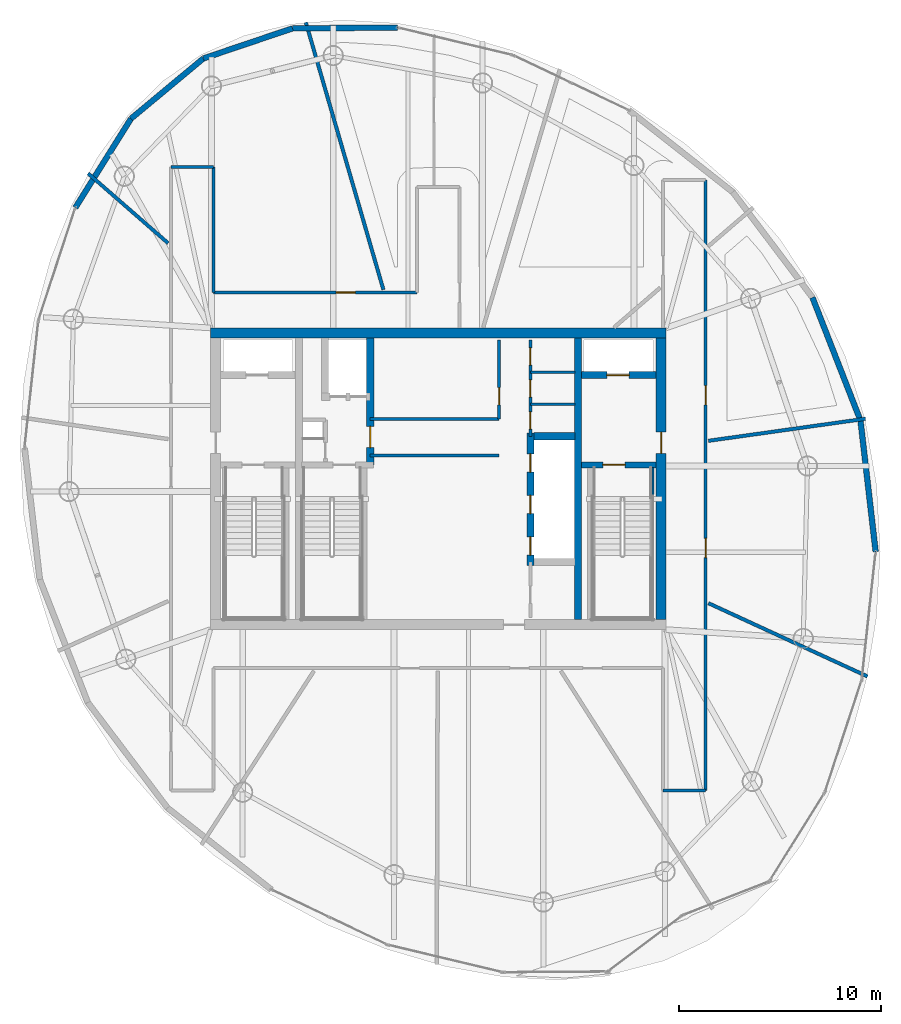
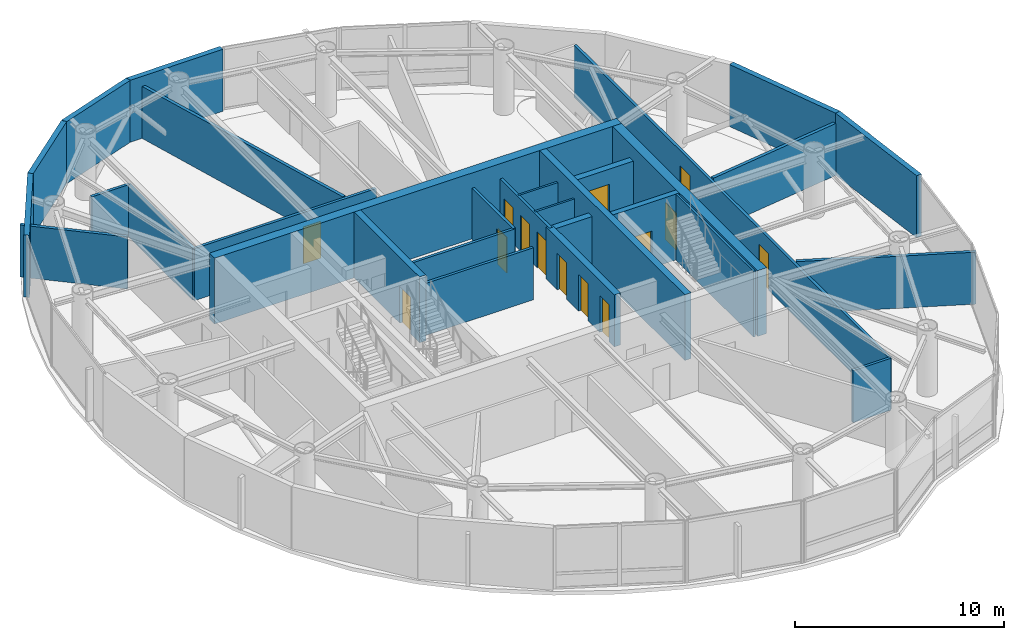
# One storey, part 16 of 20: 30 walls, 14 doors, 14 openings.
"""IFC4 building model written with IfcOpenShell, lengths in metres."""

from ifc_helpers import new_model, si_unit, direction, frame, frame_2d, origin, place, context, subcontext, project, spatial, rectangle, extrude, material, layer, layer_set, type_object, element, fill, save


model = new_model("IFC4")

# Units and contexts
model_context = context("Model", 3, precision=1e-05, world=origin(), true_north=direction((0.0, 1.0)))
body_context = subcontext(model_context, "Body", "Model", "MODEL_VIEW")
ifc_project = project(units=[si_unit("LENGTHUNIT", "METRE"), si_unit("AREAUNIT", "SQUARE_METRE"), si_unit("VOLUMEUNIT", "CUBIC_METRE"), si_unit("PLANEANGLEUNIT", "RADIAN"), si_unit("MASSUNIT", "GRAM", prefix="KILO")], contexts=[model_context])

# Site, building, storey
site_placement = place(None, origin())
site = spatial("IfcSite", under=ifc_project, at=site_placement, CompositionType="ELEMENT")
building_placement = place(site_placement, origin())
building = spatial("IfcBuilding", under=site, at=building_placement, Name="Bramvorn Convention Spire", CompositionType="ELEMENT")
storey_placement = place(building_placement, frame((0.0, 0.0, 276.699951171875)))
storey = spatial("IfcBuildingStorey", under=building, at=storey_placement, Name="L70", CompositionType="ELEMENT", Elevation=276.699951171875)

# Wall
ifc_material_1 = material(Name="Concrete C50/60", Category="concrete")
ifc_layer_1 = layer(ifc_material_1, 0.5)
ifc_layer_set_1 = layer_set([ifc_layer_1], Name="Concrete C50/60 - WL-CORE-500")
wall_type_1 = type_object("IfcWallType", Name="WL-CORE-500", PredefinedType="SHEAR", material=ifc_layer_set_1)
wall_1_placement = place(storey_placement, frame((26.75, 33.199951171875, 0.0), z_axis=(0.0, 0.0, 1.0), x_axis=(1.0, 0.0, 0.0)))
element("IfcWall", 1, at=wall_1_placement, inside=storey, type_object=wall_type_1, Name="L70 North RC core shear wall", PredefinedType="SHEAR", context=body_context, shape_type="SweptSolid", body=[
    extrude(rectangle(XDim=22.5, YDim=0.5, at=frame_2d((11.25, 0.0))), origin(), (0.0, 0.0, 1.0), 3.85009765625),
])

# Wall, opening, door
wall_2_placement = place(storey_placement, frame((49.0, 19.050048828125, 0.0), z_axis=(0.0, 0.0, 1.0), x_axis=(0.0, 1.0, 0.0)))
wall_2 = element("IfcWall", 2, at=wall_2_placement, inside=storey, type_object=wall_type_1, Name="L70 East RC core shear wall", PredefinedType="SHEAR", context=body_context, shape_type="SweptSolid", body=[
    extrude(rectangle(XDim=13.89990234375, YDim=0.5, at=frame_2d((6.949951171875, 0.0))), origin(), (0.0, 0.0, 1.0), 3.85009765625),
])
opening_1_placement = place(wall_2_placement, frame((8.199951171875, 0.0, 0.0)))
opening_1 = element("IfcOpeningElement", 3, at=opening_1_placement, cuts=wall_2, Name="Opening DL-105", PredefinedType="OPENING", context=body_context, shape_type="SweptSolid", body=[
    extrude(rectangle(XDim=1.050048828125, YDim=2.14990234375, at=frame_2d((0.52490234375, 1.074951171875))), frame((0.0, 0.260009765625, 0.0), z_axis=(0.0, -1.0, 0.0), x_axis=(1.0, 0.0, 0.0)), (0.0, 0.0, 1.0), 0.52001953125),
])
ifc_material_2 = material(Name="Smoke-Sealed Fire Lobby Timber-Core Door", Category="wood")
door_type_1 = type_object("IfcDoorType", Name="DR-LOBBY-1050", OperationType="NOTDEFINED", PredefinedType="DOOR", material=ifc_material_2)
door_1_placement = place(opening_1_placement, origin())
door_1 = element("IfcDoor", 4, at=door_1_placement, inside=storey, type_object=door_type_1, Name="L70 East Firefighting Lobby corridor door", OperationType="SINGLE_SWING_LEFT", OverallHeight=2.14990234375, OverallWidth=1.050048828125, PredefinedType="DOOR", context=body_context, shape_type="SweptSolid", body=[
    extrude(rectangle(XDim=1.050048828125, YDim=2.14990234375, at=frame_2d((0.52490234375, 1.074951171875))), frame((0.0, 0.02490234375, 0.0), z_axis=(0.0, -1.0, 0.0), x_axis=(1.0, 0.0, 0.0)), (0.0, 0.0, 1.0), 0.050048828125),
])
fill(opening_1, door_1)

# Wall
ifc_layer_2 = layer(ifc_material_1, 0.35009765625)
ifc_layer_set_2 = layer_set([ifc_layer_2], Name="Concrete C50/60 - WL-CORE-INT-350")
wall_type_2 = type_object("IfcWallType", Name="WL-CORE-INT-350", PredefinedType="SHEAR", material=ifc_layer_set_2)
wall_3_placement = place(storey_placement, frame((44.89990234375, 19.050048828125, 0.0), z_axis=(0.0, 0.0, 1.0), x_axis=(0.0, 1.0, 0.0)))
element("IfcWall", 5, at=wall_3_placement, inside=storey, type_object=wall_type_2, Name="L70 East internal core shear web", PredefinedType="SHEAR", context=body_context, shape_type="SweptSolid", body=[
    extrude(rectangle(XDim=13.89990234375, YDim=0.35009765625, at=frame_2d((6.949951171875, 0.0))), origin(), (0.0, 0.0, 1.0), 3.85009765625),
])

# Wall, opening, door
wall_4_placement = place(storey_placement, frame((45.080078125, 31.1201171875, 0.0), z_axis=(0.0, 0.0, 1.0), x_axis=(1.0, 0.0, 0.0)))
wall_4 = element("IfcWall", 6, at=wall_4_placement, inside=storey, type_object=wall_type_2, Name="L70 FE2 shaft front wall", PredefinedType="SHEAR", context=body_context, shape_type="SweptSolid", body=[
    extrude(rectangle(XDim=3.669921875, YDim=0.35009765625, at=frame_2d((1.8349609375, 0.0))), origin(), (0.0, 0.0, 1.0), 3.0400390625),
])
opening_2_placement = place(wall_4_placement, frame((1.25, 0.0, 0.0)))
opening_2 = element("IfcOpeningElement", 7, at=opening_2_placement, cuts=wall_4, Name="Opening LD-110", PredefinedType="OPENING", context=body_context, shape_type="SweptSolid", body=[
    extrude(rectangle(XDim=1.10009765625, YDim=2.14990234375, at=frame_2d((0.550048828125, 1.074951171875))), frame((0.0, 0.18505859375, 0.0), z_axis=(0.0, -1.0, 0.0), x_axis=(1.0, 0.0, 0.0)), (0.0, 0.0, 1.0), 0.3701171875),
])
ifc_material_3 = material(Name="Firefighting & Service Lift Sliding Landing Door", Category="steel")
door_type_2 = type_object("IfcDoorType", Name="DR-LIFT-LD-1100", OperationType="NOTDEFINED", PredefinedType="DOOR", material=ifc_material_3)
door_2_placement = place(opening_2_placement, origin())
door_2 = element("IfcDoor", 8, at=door_2_placement, inside=storey, type_object=door_type_2, Name="L70 Lift FE2 Sliding Landing Door", OperationType="SLIDING_TO_LEFT", OverallHeight=2.14990234375, OverallWidth=1.10009765625, PredefinedType="DOOR", context=body_context, shape_type="SweptSolid", body=[
    extrude(rectangle(XDim=1.10009765625, YDim=2.14990234375, at=frame_2d((0.550048828125, 1.074951171875))), frame((0.0, 0.02490234375, 0.0), z_axis=(0.0, -1.0, 0.0), x_axis=(1.0, 0.0, 0.0)), (0.0, 0.0, 1.0), 0.050048828125),
])
fill(opening_2, door_2)

wall_5_placement = place(storey_placement, frame((34.639892578125, 26.68994140625, 0.0), z_axis=(0.0, 0.0, 1.0), x_axis=(0.0, 1.0, 0.0)))
wall_5 = element("IfcWall", 9, at=wall_5_placement, inside=storey, type_object=wall_type_2, Name="L70 SV east core shaft wall", PredefinedType="SHEAR", context=body_context, shape_type="SweptSolid", body=[
    extrude(rectangle(XDim=6.260009765625, YDim=0.35009765625, at=frame_2d((3.1298828125, 0.0))), origin(), (0.0, 0.0, 1.0), 3.85009765625),
])
opening_3_placement = place(wall_5_placement, frame((0.85009765625, 0.0, 0.0)))
opening_3 = element("IfcOpeningElement", 10, at=opening_3_placement, cuts=wall_5, Name="Opening DL-105", PredefinedType="OPENING", context=body_context, shape_type="SweptSolid", body=[
    extrude(rectangle(XDim=1.050048828125, YDim=2.14990234375, at=frame_2d((0.52490234375, 1.074951171875))), frame((0.0, 0.18505859375, 0.0), z_axis=(0.0, -1.0, 0.0), x_axis=(1.0, 0.0, 0.0)), (0.0, 0.0, 1.0), 0.3701171875),
])
door_3_placement = place(opening_3_placement, origin())
door_3 = element("IfcDoor", 11, at=door_3_placement, inside=storey, type_object=door_type_1, Name="L70 Core cross-passage door", OperationType="SINGLE_SWING_RIGHT", OverallHeight=2.14990234375, OverallWidth=1.050048828125, PredefinedType="DOOR", context=body_context, shape_type="SweptSolid", body=[
    extrude(rectangle(XDim=1.050048828125, YDim=2.14990234375, at=frame_2d((0.52490234375, 1.074951171875))), frame((0.0, 0.02490234375, 0.0), z_axis=(0.0, -1.0, 0.0), x_axis=(1.0, 0.0, 0.0)), (0.0, 0.0, 1.0), 0.050048828125),
])
fill(opening_3, door_3)

# Wall, openings, doors
wall_6_placement = place(storey_placement, frame((42.550048828125, 21.72998046875, 0.0), z_axis=(0.0, 0.0, 1.0), x_axis=(0.0, 1.0, 0.0)))
wall_6 = element("IfcWall", 12, at=wall_6_placement, inside=storey, type_object=wall_type_2, Name="L70 High-rise lift bank west wall", PredefinedType="SHEAR", context=body_context, shape_type="SweptSolid", body=[
    extrude(rectangle(XDim=6.5400390625, YDim=0.35009765625, at=frame_2d((3.27001953125, 0.0))), origin(), (0.0, 0.0, 1.0), 3.0400390625),
])
opening_4_placement = place(wall_6_placement, frame((0.5, 0.0, 0.0)))
opening_4 = element("IfcOpeningElement", 13, at=opening_4_placement, cuts=wall_6, Name="Opening LD-090", PredefinedType="OPENING", context=body_context, shape_type="SweptSolid", body=[
    extrude(rectangle(XDim=0.89990234375, YDim=2.14990234375, at=frame_2d((0.449951171875, 1.074951171875))), frame((0.0, 0.18505859375, 0.0), z_axis=(0.0, -1.0, 0.0), x_axis=(1.0, 0.0, 0.0)), (0.0, 0.0, 1.0), 0.3701171875),
])
opening_5_placement = place(wall_6_placement, frame((2.550048828125, 0.0, 0.0)))
opening_5 = element("IfcOpeningElement", 14, at=opening_5_placement, cuts=wall_6, Name="Opening LD-090", PredefinedType="OPENING", context=body_context, shape_type="SweptSolid", body=[
    extrude(rectangle(XDim=0.89990234375, YDim=2.14990234375, at=frame_2d((0.449951171875, 1.074951171875))), frame((0.0, 0.18505859375, 0.0), z_axis=(0.0, -1.0, 0.0), x_axis=(1.0, 0.0, 0.0)), (0.0, 0.0, 1.0), 0.3701171875),
])
opening_6_placement = place(wall_6_placement, frame((4.60009765625, 0.0, 0.0)))
opening_6 = element("IfcOpeningElement", 15, at=opening_6_placement, cuts=wall_6, Name="Opening LD-090", PredefinedType="OPENING", context=body_context, shape_type="SweptSolid", body=[
    extrude(rectangle(XDim=0.89990234375, YDim=2.14990234375, at=frame_2d((0.449951171875, 1.074951171875))), frame((0.0, 0.18505859375, 0.0), z_axis=(0.0, -1.0, 0.0), x_axis=(1.0, 0.0, 0.0)), (0.0, 0.0, 1.0), 0.3701171875),
])
ifc_material_4 = material(Name="Bi-Parting Fire-Rated Lift Landing Door", Category="steel")
door_type_3 = type_object("IfcDoorType", Name="DR-LIFT-LD-900", OperationType="NOTDEFINED", PredefinedType="DOOR", material=ifc_material_4)
door_4_placement = place(opening_4_placement, origin())
door_4 = element("IfcDoor", 16, at=door_4_placement, inside=storey, type_object=door_type_3, Name="L70 Lift PH1 Sliding Landing Door", OperationType="SLIDING_TO_LEFT", OverallHeight=2.14990234375, OverallWidth=0.89990234375, PredefinedType="DOOR", context=body_context, shape_type="SweptSolid", body=[
    extrude(rectangle(XDim=0.89990234375, YDim=2.14990234375, at=frame_2d((0.449951171875, 1.074951171875))), frame((0.0, 0.02490234375, 0.0), z_axis=(0.0, -1.0, 0.0), x_axis=(1.0, 0.0, 0.0)), (0.0, 0.0, 1.0), 0.050048828125),
])
fill(opening_4, door_4)
door_5_placement = place(opening_5_placement, origin())
door_5 = element("IfcDoor", 17, at=door_5_placement, inside=storey, type_object=door_type_3, Name="L70 Lift PH2 Sliding Landing Door", OperationType="SLIDING_TO_LEFT", OverallHeight=2.14990234375, OverallWidth=0.89990234375, PredefinedType="DOOR", context=body_context, shape_type="SweptSolid", body=[
    extrude(rectangle(XDim=0.89990234375, YDim=2.14990234375, at=frame_2d((0.449951171875, 1.074951171875))), frame((0.0, 0.02490234375, 0.0), z_axis=(0.0, -1.0, 0.0), x_axis=(1.0, 0.0, 0.0)), (0.0, 0.0, 1.0), 0.050048828125),
])
fill(opening_5, door_5)
door_6_placement = place(opening_6_placement, origin())
door_6 = element("IfcDoor", 18, at=door_6_placement, inside=storey, type_object=door_type_3, Name="L70 Lift PH3 Sliding Landing Door", OperationType="SLIDING_TO_LEFT", OverallHeight=2.14990234375, OverallWidth=0.89990234375, PredefinedType="DOOR", context=body_context, shape_type="SweptSolid", body=[
    extrude(rectangle(XDim=0.89990234375, YDim=2.14990234375, at=frame_2d((0.449951171875, 1.074951171875))), frame((0.0, 0.02490234375, 0.0), z_axis=(0.0, -1.0, 0.0), x_axis=(1.0, 0.0, 0.0)), (0.0, 0.0, 1.0), 0.050048828125),
])
fill(opening_6, door_6)

# Walls
wall_7_placement = place(storey_placement, frame((42.719970703125, 28.10009765625, 0.0), z_axis=(0.0, 0.0, 1.0), x_axis=(1.0, 0.0, 0.0)))
element("IfcWall", 19, at=wall_7_placement, inside=storey, type_object=wall_type_2, Name="L70 High-rise lift bank north wall", PredefinedType="SHEAR", context=body_context, shape_type="SweptSolid", body=[
    extrude(rectangle(XDim=2.030029296875, YDim=0.35009765625, at=frame_2d((1.01513671875, 0.0))), origin(), (0.0, 0.0, 1.0), 3.0400390625),
])
ifc_material_5 = material(Name="Precast Concrete C40/50 with Bronze Terracotta Rainscreen", Category="masonry")
ifc_layer_3 = layer(ifc_material_5, 0.300048828125)
ifc_layer_set_3 = layer_set([ifc_layer_3], Name="Precast Concrete C40/50 with Bronze Terracotta Rainscreen - WL-EXT-BRONZE-300")
wall_type_3 = type_object("IfcWallType", Name="WL-EXT-BRONZE-300", PredefinedType="SOLIDWALL", material=ifc_layer_set_3)
wall_8_placement = place(storey_placement, frame((58.851806640625, 28.87255859375, 0.0), z_axis=(0.0, 0.0, 1.0), x_axis=(0.114807272094, -0.99338778444, 0.0)))
element("IfcWall", 20, at=wall_8_placement, inside=storey, type_object=wall_type_3, Name="L70 expressed bronze Gothic lancet pier wall 05", PredefinedType="SOLIDWALL", context=body_context, shape_type="SweptSolid", body=[
    extrude(rectangle(XDim=6.5263671875, YDim=0.280029296875, at=frame_2d((3.26318359375, 0.0))), origin(), (0.0, 0.0, 1.0), 3.625),
])
wall_9_placement = place(storey_placement, frame((56.47900390625, 34.952880859375, 0.0), z_axis=(0.0, 0.0, 1.0), x_axis=(0.363541693905, -0.931577928459, 0.0)))
element("IfcWall", 21, at=wall_9_placement, inside=storey, type_object=wall_type_3, Name="L70 expressed bronze Gothic lancet pier wall 06", PredefinedType="SOLIDWALL", context=body_context, shape_type="SweptSolid", body=[
    extrude(rectangle(XDim=6.52685546875, YDim=0.280029296875, at=frame_2d((3.263427734375, 0.0))), origin(), (0.0, 0.0, 1.0), 3.625),
])
wall_10_placement = place(storey_placement, frame((30.804931640625, 48.24560546875, 0.0), z_axis=(0.0, 0.0, 1.0), x_axis=(0.999976318175, 0.006882084588, 0.0)))
element("IfcWall", 22, at=wall_10_placement, inside=storey, type_object=wall_type_3, Name="L70 expressed bronze Gothic lancet pier wall 11", PredefinedType="SOLIDWALL", context=body_context, shape_type="SweptSolid", body=[
    extrude(rectangle(XDim=5.179443359375, YDim=0.280029296875, at=frame_2d((2.58984375, 0.0))), origin(), (0.0, 0.0, 1.0), 3.625),
])
wall_11_placement = place(storey_placement, frame((26.398681640625, 46.758056640625, 0.0), z_axis=(0.0, 0.0, 1.0), x_axis=(0.947463644546, 0.319863474414, 0.0)))
element("IfcWall", 23, at=wall_11_placement, inside=storey, type_object=wall_type_3, Name="L70 expressed bronze Gothic lancet pier wall 12", PredefinedType="SOLIDWALL", context=body_context, shape_type="SweptSolid", body=[
    extrude(rectangle(XDim=4.650634765625, YDim=0.280029296875, at=frame_2d((2.3251953125, 0.0))), origin(), (0.0, 0.0, 1.0), 3.625),
])
wall_12_placement = place(storey_placement, frame((22.822998046875, 43.78466796875, 0.0), z_axis=(0.0, 0.0, 1.0), x_axis=(0.768892148776, 0.639378497879, 0.0)))
element("IfcWall", 24, at=wall_12_placement, inside=storey, type_object=wall_type_3, Name="L70 expressed bronze Gothic lancet pier wall 13", PredefinedType="SOLIDWALL", context=body_context, shape_type="SweptSolid", body=[
    extrude(rectangle(XDim=4.650390625, YDim=0.280029296875, at=frame_2d((2.3251953125, 0.0))), origin(), (0.0, 0.0, 1.0), 3.625),
])
wall_13_placement = place(storey_placement, frame((20.07861328125, 39.39208984375, 0.0), z_axis=(0.0, 0.0, 1.0), x_axis=(0.529863349089, 0.848083033254, 0.0)))
element("IfcWall", 25, at=wall_13_placement, inside=storey, type_object=wall_type_3, Name="L70 expressed bronze Gothic lancet pier wall 14", PredefinedType="SOLIDWALL", context=body_context, shape_type="SweptSolid", body=[
    extrude(rectangle(XDim=5.179443359375, YDim=0.280029296875, at=frame_2d((2.58984375, 0.0))), origin(), (0.0, 0.0, 1.0), 3.625),
])
ifc_material_6 = material(Name="Lightweight En-Suite & Wet-Wall Partition", Category="gypsum")
ifc_layer_4 = layer(ifc_material_6, 0.110107421875)
ifc_layer_set_4 = layer_set([ifc_layer_4], Name="Lightweight En-Suite & Wet-Wall Partition - WL-PART-110")
wall_type_4 = type_object("IfcWallType", Name="WL-PART-110", PredefinedType="PARTITIONING", material=ifc_layer_set_4)
for number, where, z_axis, x_axis, name in (
    (26, (42.550048828125, 29.679931640625, 0.0), (0.0, 0.0, 1.0), (1.0, 0.0, 0.0), "L70 KC NE div 1"),
    (27, (42.550048828125, 31.260009765625, 0.0), (0.0, 0.0, 1.0), (1.0, 0.0, 0.0), "L70 KC NE div 2"),
):
    element("IfcWall", number, at=place(storey_placement, frame(where, z_axis=z_axis, x_axis=x_axis)), inside=storey, type_object=wall_type_4, Name=name, PredefinedType="PARTITIONING", context=body_context, shape_type="SweptSolid", body=[
        extrude(rectangle(XDim=2.199951171875, YDim=0.110107421875, at=frame_2d((1.10009765625, 0.0))), origin(), (0.0, 0.0, 1.0), 3.0400390625),
    ])
ifc_material_7 = material(Name="Acoustic Metal-Stud Tenant/Corridor Partition", Category="gypsum")
ifc_layer_5 = layer(ifc_material_7, 0.14990234375)
ifc_layer_set_5 = layer_set([ifc_layer_5], Name="Acoustic Metal-Stud Tenant/Corridor Partition - WL-PART-150")
wall_type_5 = type_object("IfcWallType", Name="WL-PART-150", PredefinedType="PARTITIONING", material=ifc_layer_set_5)
for number, where, z_axis, x_axis, name in (
    (28, (34.639892578125, 27.14990234375, 0.0), (0.0, 0.0, 1.0), (1.0, 0.0, 0.0), "L70 Cross-core passage south wall"),
    (29, (34.639892578125, 28.949951171875, 0.0), (0.0, 0.0, 1.0), (1.0, 0.0, 0.0), "L70 Cross-core passage north wall"),
):
    element("IfcWall", number, at=place(storey_placement, frame(where, z_axis=z_axis, x_axis=x_axis)), inside=storey, type_object=wall_type_5, Name=name, PredefinedType="PARTITIONING", context=body_context, shape_type="SweptSolid", body=[
        extrude(rectangle(XDim=6.360107421875, YDim=0.14990234375, at=frame_2d((3.18017578125, 0.0))), origin(), (0.0, 0.0, 1.0), 3.0400390625),
    ])

# Wall, opening, door
wall_14_placement = place(storey_placement, frame((41.0, 28.949951171875, 0.0), z_axis=(0.0, 0.0, 1.0), x_axis=(0.0, 1.0, 0.0)))
wall_14 = element("IfcWall", 30, at=wall_14_placement, inside=storey, type_object=wall_type_5, Name="L70 Freed north shaft room wall", PredefinedType="PARTITIONING", context=body_context, shape_type="SweptSolid", body=[
    extrude(rectangle(XDim=3.900146484375, YDim=0.14990234375, at=frame_2d((1.9501953125, 0.0))), origin(), (0.0, 0.0, 1.0), 3.0400390625),
])
opening_7_placement = place(wall_14_placement, frame((0.699951171875, 0.0, 0.0)))
opening_7 = element("IfcOpeningElement", 31, at=opening_7_placement, cuts=wall_14, Name="Opening DC-085", PredefinedType="OPENING", context=body_context, shape_type="SweptSolid", body=[
    extrude(rectangle(XDim=0.85009765625, YDim=2.10009765625, at=frame_2d((0.425048828125, 1.050048828125))), frame((0.0, 0.0849609375, 0.0), z_axis=(0.0, -1.0, 0.0), x_axis=(1.0, 0.0, 0.0)), (0.0, 0.0, 1.0), 0.169921875),
])
ifc_material_8 = material(Name="Fire-Rated Core Washroom & IDF Door", Category="wood")
door_type_4 = type_object("IfcDoorType", Name="DR-CORE-850", OperationType="NOTDEFINED", PredefinedType="DOOR", material=ifc_material_8)
door_7_placement = place(opening_7_placement, origin())
door_7 = element("IfcDoor", 32, at=door_7_placement, inside=storey, type_object=door_type_4, Name="L70 North core archive door", OperationType="SINGLE_SWING_LEFT", OverallHeight=2.10009765625, OverallWidth=0.85009765625, PredefinedType="DOOR", context=body_context, shape_type="SweptSolid", body=[
    extrude(rectangle(XDim=0.85009765625, YDim=2.10009765625, at=frame_2d((0.425048828125, 1.050048828125))), frame((0.0, 0.02490234375, 0.0), z_axis=(0.0, -1.0, 0.0), x_axis=(1.0, 0.0, 0.0)), (0.0, 0.0, 1.0), 0.050048828125),
])
fill(opening_7, door_7)

# Wall, openings, doors
wall_15_placement = place(storey_placement, frame((42.550048828125, 28.10009765625, 0.0), z_axis=(0.0, 0.0, 1.0), x_axis=(0.0, 1.0, 0.0)))
wall_15 = element("IfcWall", 33, at=wall_15_placement, inside=storey, type_object=wall_type_5, Name="L70 KC NE wall", PredefinedType="PARTITIONING", context=body_context, shape_type="SweptSolid", body=[
    extrude(rectangle(XDim=4.75, YDim=0.14990234375, at=frame_2d((2.375, 0.0))), origin(), (0.0, 0.0, 1.0), 3.0400390625),
])
opening_8_placement = place(wall_15_placement, frame((0.35009765625, 0.0, 0.0)))
opening_8 = element("IfcOpeningElement", 34, at=opening_8_placement, cuts=wall_15, Name="Opening DC-085", PredefinedType="OPENING", context=body_context, shape_type="SweptSolid", body=[
    extrude(rectangle(XDim=0.85009765625, YDim=2.10009765625, at=frame_2d((0.425048828125, 1.050048828125))), frame((0.0, 0.0849609375, 0.0), z_axis=(0.0, -1.0, 0.0), x_axis=(1.0, 0.0, 0.0)), (0.0, 0.0, 1.0), 0.169921875),
])
opening_9_placement = place(wall_15_placement, frame((1.929931640625, 0.0, 0.0)))
opening_9 = element("IfcOpeningElement", 35, at=opening_9_placement, cuts=wall_15, Name="Opening DC-085", PredefinedType="OPENING", context=body_context, shape_type="SweptSolid", body=[
    extrude(rectangle(XDim=0.85009765625, YDim=2.10009765625, at=frame_2d((0.425048828125, 1.050048828125))), frame((0.0, 0.0849609375, 0.0), z_axis=(0.0, -1.0, 0.0), x_axis=(1.0, 0.0, 0.0)), (0.0, 0.0, 1.0), 0.169921875),
])
opening_10_placement = place(wall_15_placement, frame((3.510009765625, 0.0, 0.0)))
opening_10 = element("IfcOpeningElement", 36, at=opening_10_placement, cuts=wall_15, Name="Opening DC-085", PredefinedType="OPENING", context=body_context, shape_type="SweptSolid", body=[
    extrude(rectangle(XDim=0.85009765625, YDim=2.10009765625, at=frame_2d((0.425048828125, 1.050048828125))), frame((0.0, 0.0849609375, 0.0), z_axis=(0.0, -1.0, 0.0), x_axis=(1.0, 0.0, 0.0)), (0.0, 0.0, 1.0), 0.169921875),
])
door_8_placement = place(opening_8_placement, origin())
door_8 = element("IfcDoor", 37, at=door_8_placement, inside=storey, type_object=door_type_4, Name="L70 Accessible Core Restroom door", OperationType="SINGLE_SWING_LEFT", OverallHeight=2.10009765625, OverallWidth=0.85009765625, PredefinedType="DOOR", context=body_context, shape_type="SweptSolid", body=[
    extrude(rectangle(XDim=0.85009765625, YDim=2.10009765625, at=frame_2d((0.425048828125, 1.050048828125))), frame((0.0, 0.02490234375, 0.0), z_axis=(0.0, -1.0, 0.0), x_axis=(1.0, 0.0, 0.0)), (0.0, 0.0, 1.0), 0.050048828125),
])
fill(opening_8, door_8)
door_9_placement = place(opening_9_placement, origin())
door_9 = element("IfcDoor", 38, at=door_9_placement, inside=storey, type_object=door_type_4, Name="L70 Tenant Pantry & Copy Centre door", OperationType="SINGLE_SWING_LEFT", OverallHeight=2.10009765625, OverallWidth=0.85009765625, PredefinedType="DOOR", context=body_context, shape_type="SweptSolid", body=[
    extrude(rectangle(XDim=0.85009765625, YDim=2.10009765625, at=frame_2d((0.425048828125, 1.050048828125))), frame((0.0, 0.02490234375, 0.0), z_axis=(0.0, -1.0, 0.0), x_axis=(1.0, 0.0, 0.0)), (0.0, 0.0, 1.0), 0.050048828125),
])
fill(opening_9, door_9)
door_10_placement = place(opening_10_placement, origin())
door_10 = element("IfcDoor", 39, at=door_10_placement, inside=storey, type_object=door_type_4, Name="L70 Core Comms Closet door", OperationType="SINGLE_SWING_LEFT", OverallHeight=2.10009765625, OverallWidth=0.85009765625, PredefinedType="DOOR", context=body_context, shape_type="SweptSolid", body=[
    extrude(rectangle(XDim=0.85009765625, YDim=2.10009765625, at=frame_2d((0.425048828125, 1.050048828125))), frame((0.0, 0.02490234375, 0.0), z_axis=(0.0, -1.0, 0.0), x_axis=(1.0, 0.0, 0.0)), (0.0, 0.0, 1.0), 0.050048828125),
])
fill(opening_10, door_10)

# Wall, opening, door
wall_16_placement = place(storey_placement, frame((26.89990234375, 35.199951171875, 0.0), z_axis=(0.0, 0.0, 1.0), x_axis=(1.0, 0.0, 0.0)))
wall_16 = element("IfcWall", 40, at=wall_16_placement, inside=storey, type_object=wall_type_5, Name="L70 North-west spur link wall", PredefinedType="PARTITIONING", context=body_context, shape_type="SweptSolid", body=[
    extrude(rectangle(XDim=10.050048828125, YDim=0.14990234375, at=frame_2d((5.02490234375, 0.0))), origin(), (0.0, 0.0, 1.0), 3.0400390625),
])
opening_11_placement = place(wall_16_placement, frame((6.059814453125, 0.0, 0.0)))
opening_11 = element("IfcOpeningElement", 41, at=opening_11_placement, cuts=wall_16, Name="Opening DH-095", PredefinedType="OPENING", context=body_context, shape_type="SweptSolid", body=[
    extrude(rectangle(XDim=0.949951171875, YDim=2.14990234375, at=frame_2d((0.47509765625, 1.074951171875))), frame((0.0, 0.0849609375, 0.0), z_axis=(0.0, -1.0, 0.0), x_axis=(1.0, 0.0, 0.0)), (0.0, 0.0, 1.0), 0.169921875),
])
ifc_material_9 = material(Name="Solid-Core Acoustic Guestroom Entry Door", Category="wood")
door_type_5 = type_object("IfcDoorType", Name="DR-HOTEL-950", OperationType="NOTDEFINED", PredefinedType="DOOR", material=ifc_material_9)
door_11_placement = place(opening_11_placement, origin())
door_11 = element("IfcDoor", 42, at=door_11_placement, inside=storey, type_object=door_type_5, Name="L70 Partner Private Office 1 4 door", OperationType="SINGLE_SWING_LEFT", OverallHeight=2.14990234375, OverallWidth=0.949951171875, PredefinedType="DOOR", context=body_context, shape_type="SweptSolid", body=[
    extrude(rectangle(XDim=0.949951171875, YDim=2.14990234375, at=frame_2d((0.47509765625, 1.074951171875))), frame((0.0, 0.02490234375, 0.0), z_axis=(0.0, -1.0, 0.0), x_axis=(1.0, 0.0, 0.0)), (0.0, 0.0, 1.0), 0.050048828125),
])
fill(opening_11, door_11)

# Walls
wall_17_placement = place(storey_placement, frame((26.89990234375, 35.199951171875, 0.0), z_axis=(0.0, 0.0, 1.0), x_axis=(0.0, 1.0, 0.0)))
element("IfcWall", 43, at=wall_17_placement, inside=storey, type_object=wall_type_5, Name="L70 West gallery NE wall", PredefinedType="PARTITIONING", context=body_context, shape_type="SweptSolid", body=[
    extrude(rectangle(XDim=6.199951171875, YDim=0.14990234375, at=frame_2d((3.10009765625, 0.0))), origin(), (0.0, 0.0, 1.0), 3.0400390625),
])
wall_18_placement = place(storey_placement, frame((24.800048828125, 41.39990234375, 0.0), z_axis=(0.0, 0.0, 1.0), x_axis=(1.0, 0.0, 0.0)))
element("IfcWall", 44, at=wall_18_placement, inside=storey, type_object=wall_type_5, Name="L70 West gallery north end", PredefinedType="PARTITIONING", context=body_context, shape_type="SweptSolid", body=[
    extrude(rectangle(XDim=2.099853515625, YDim=0.14990234375, at=frame_2d((1.0498046875, 0.0))), origin(), (0.0, 0.0, 1.0), 3.0400390625),
])

# Wall, openings, doors
wall_19_placement = place(storey_placement, frame((51.199951171875, 10.60009765625, 0.0), z_axis=(0.0, 0.0, 1.0), x_axis=(0.0, 1.0, 0.0)))
wall_19 = element("IfcWall", 45, at=wall_19_placement, inside=storey, type_object=wall_type_5, Name="L70 East N-S gallery outer wall", PredefinedType="PARTITIONING", context=body_context, shape_type="SweptSolid", body=[
    extrude(rectangle(XDim=30.155517578125, YDim=0.14990234375, at=frame_2d((15.07763671875, 0.0))), origin(), (0.0, 0.0, 1.0), 3.0400390625),
])
opening_12_placement = place(wall_19_placement, frame((19.053466796875, 0.0, 0.0)))
opening_12 = element("IfcOpeningElement", 46, at=opening_12_placement, cuts=wall_19, Name="Opening DH-095", PredefinedType="OPENING", context=body_context, shape_type="SweptSolid", body=[
    extrude(rectangle(XDim=0.949951171875, YDim=2.14990234375, at=frame_2d((0.47509765625, 1.074951171875))), frame((0.0, 0.0849609375, 0.0), z_axis=(0.0, -1.0, 0.0), x_axis=(1.0, 0.0, 0.0)), (0.0, 0.0, 1.0), 0.169921875),
])
opening_13_placement = place(wall_19_placement, frame((11.503662109375, 0.0, 0.0)))
opening_13 = element("IfcOpeningElement", 47, at=opening_13_placement, cuts=wall_19, Name="Opening DH-095", PredefinedType="OPENING", context=body_context, shape_type="SweptSolid", body=[
    extrude(rectangle(XDim=0.949951171875, YDim=2.14990234375, at=frame_2d((0.47509765625, 1.074951171875))), frame((0.0, 0.0849609375, 0.0), z_axis=(0.0, -1.0, 0.0), x_axis=(1.0, 0.0, 0.0)), (0.0, 0.0, 1.0), 0.169921875),
])
door_12_placement = place(opening_12_placement, origin())
door_12 = element("IfcDoor", 48, at=door_12_placement, inside=storey, type_object=door_type_5, Name="L70 Archive & Document Store 1 1 door", OperationType="SINGLE_SWING_RIGHT", OverallHeight=2.14990234375, OverallWidth=0.949951171875, PredefinedType="DOOR", context=body_context, shape_type="SweptSolid", body=[
    extrude(rectangle(XDim=0.949951171875, YDim=2.14990234375, at=frame_2d((0.47509765625, 1.074951171875))), frame((0.0, 0.02490234375, 0.0), z_axis=(0.0, -1.0, 0.0), x_axis=(1.0, 0.0, 0.0)), (0.0, 0.0, 1.0), 0.050048828125),
])
fill(opening_12, door_12)
door_13_placement = place(opening_13_placement, origin())
door_13 = element("IfcDoor", 49, at=door_13_placement, inside=storey, type_object=door_type_5, Name="L70 Archive & Document Store 1 11 door", OperationType="SINGLE_SWING_RIGHT", OverallHeight=2.14990234375, OverallWidth=0.949951171875, PredefinedType="DOOR", context=body_context, shape_type="SweptSolid", body=[
    extrude(rectangle(XDim=0.949951171875, YDim=2.14990234375, at=frame_2d((0.47509765625, 1.074951171875))), frame((0.0, 0.02490234375, 0.0), z_axis=(0.0, -1.0, 0.0), x_axis=(1.0, 0.0, 0.0)), (0.0, 0.0, 1.0), 0.050048828125),
])
fill(opening_13, door_13)

# Walls
wall_20_placement = place(storey_placement, frame((49.10009765625, 10.60009765625, 0.0), z_axis=(0.0, 0.0, 1.0), x_axis=(1.0, 0.0, 0.0)))
element("IfcWall", 50, at=wall_20_placement, inside=storey, type_object=wall_type_5, Name="L70 East gallery south end", PredefinedType="PARTITIONING", context=body_context, shape_type="SweptSolid", body=[
    extrude(rectangle(XDim=2.099853515625, YDim=0.14990234375, at=frame_2d((1.0498046875, 0.0))), origin(), (0.0, 0.0, 1.0), 3.0400390625),
])
ifc_material_10 = material(Name="Double-Stud Acoustic Hotel/Suite Partition", Category="gypsum")
ifc_layer_6 = layer(ifc_material_10, 0.175048828125)
ifc_layer_set_6 = layer_set([ifc_layer_6], Name="Double-Stud Acoustic Hotel/Suite Partition - WL-PART-175")
wall_type_6 = type_object("IfcWallType", Name="WL-PART-175", PredefinedType="PARTITIONING", material=ifc_layer_set_6)
wall_21_placement = place(storey_placement, frame((51.340087890625, 27.874755859375, 0.0), z_axis=(0.0, 0.0, 1.0), x_axis=(0.990267180632, 0.13917942004, 0.0)))
element("IfcWall", 51, at=wall_21_placement, inside=storey, type_object=wall_type_6, Name="L70 Tenant suite partition 1", PredefinedType="PARTITIONING", context=body_context, shape_type="SweptSolid", body=[
    extrude(rectangle(XDim=7.83740234375, YDim=0.175048828125, at=frame_2d((3.918701171875, 0.0))), origin(), (0.0, 0.0, 1.0), 3.0400390625),
])
wall_22_placement = place(storey_placement, frame((35.289794921875, 35.340087890625, 0.0), z_axis=(0.0, 0.0, 1.0), x_axis=(-0.278694485612, 0.960379812204, 0.0)))
element("IfcWall", 52, at=wall_22_placement, inside=storey, type_object=wall_type_6, Name="L70 Tenant suite partition 4", PredefinedType="PARTITIONING", context=body_context, shape_type="SweptSolid", body=[
    extrude(rectangle(XDim=13.747314453125, YDim=0.175048828125, at=frame_2d((6.87353515625, 0.0))), origin(), (0.0, 0.0, 1.0), 3.0400390625),
])
wall_23_placement = place(storey_placement, frame((24.659912109375, 37.633544921875, 0.0), z_axis=(0.0, 0.0, 1.0), x_axis=(-0.753676963552, 0.657245033919, 0.0)))
element("IfcWall", 53, at=wall_23_placement, inside=storey, type_object=wall_type_6, Name="L70 Tenant suite partition 5", PredefinedType="PARTITIONING", context=body_context, shape_type="SweptSolid", body=[
    extrude(rectangle(XDim=5.245849609375, YDim=0.175048828125, at=frame_2d((2.623046875, 0.0))), origin(), (0.0, 0.0, 1.0), 3.0400390625),
])
wall_24_placement = place(storey_placement, frame((51.340087890625, 19.856689453125, 0.0), z_axis=(0.0, 0.0, 1.0), x_axis=(0.908301951137, -0.418315151005, 0.0)))
element("IfcWall", 54, at=wall_24_placement, inside=storey, type_object=wall_type_6, Name="L70 Tenant suite partition 11", PredefinedType="PARTITIONING", context=body_context, shape_type="SweptSolid", body=[
    extrude(rectangle(XDim=8.648681640625, YDim=0.175048828125, at=frame_2d((4.32421875, 0.0))), origin(), (0.0, 0.0, 1.0), 3.0400390625),
])

# Wall, opening, door
ifc_layer_7 = layer(ifc_material_1, 0.300048828125)
ifc_layer_set_7 = layer_set([ifc_layer_7], Name="Concrete C50/60 - WL-POD-STAIR-300")
wall_type_7 = type_object("IfcWallType", Name="WL-POD-STAIR-300", PredefinedType="SHEAR", material=ifc_layer_set_7)
wall_25_placement = place(storey_placement, frame((45.080078125, 26.68994140625, 0.0), z_axis=(0.0, 0.0, 1.0), x_axis=(1.0, 0.0, 0.0)))
wall_25 = element("IfcWall", 55, at=wall_25_placement, inside=storey, type_object=wall_type_7, Name="L70 ST2 north fire wall", PredefinedType="SHEAR", context=body_context, shape_type="SweptSolid", body=[
    extrude(rectangle(XDim=3.669921875, YDim=0.300048828125, at=frame_2d((1.8349609375, 0.0))), origin(), (0.0, 0.0, 1.0), 3.85009765625),
])
opening_14_placement = place(wall_25_placement, frame((1.050048828125, 0.0, 0.0)))
opening_14 = element("IfcOpeningElement", 56, at=opening_14_placement, cuts=wall_25, Name="Opening DS-110", PredefinedType="OPENING", context=body_context, shape_type="SweptSolid", body=[
    extrude(rectangle(XDim=1.10009765625, YDim=2.14990234375, at=frame_2d((0.550048828125, 1.074951171875))), frame((0.0, 0.159912109375, 0.0), z_axis=(0.0, -1.0, 0.0), x_axis=(1.0, 0.0, 0.0)), (0.0, 0.0, 1.0), 0.320068359375),
])
ifc_material_11 = material(Name="Fire-Rated Hollow Steel Stairwell Door", Category="steel")
door_type_6 = type_object("IfcDoorType", Name="DR-STAIR-1100", OperationType="NOTDEFINED", PredefinedType="DOOR", material=ifc_material_11)
door_14_placement = place(opening_14_placement, origin())
door_14 = element("IfcDoor", 57, at=door_14_placement, inside=storey, type_object=door_type_6, Name="L70 Stair ST2 fire door", OperationType="SINGLE_SWING_RIGHT", OverallHeight=2.14990234375, OverallWidth=1.10009765625, PredefinedType="DOOR", context=body_context, shape_type="SweptSolid", body=[
    extrude(rectangle(XDim=1.10009765625, YDim=2.14990234375, at=frame_2d((0.550048828125, 1.074951171875))), frame((0.0, 0.02490234375, 0.0), z_axis=(0.0, -1.0, 0.0), x_axis=(1.0, 0.0, 0.0)), (0.0, 0.0, 1.0), 0.050048828125),
])
fill(opening_14, door_14)

# Wall
ifc_layer_8 = layer(ifc_material_1, 0.1201171875)
ifc_layer_set_8 = layer_set([ifc_layer_8], Name="Concrete C50/60 - WL-STAIR-RC-120")
wall_type_8 = type_object("IfcWallType", Name="WL-STAIR-RC-120", PredefinedType="SHEAR", material=ifc_layer_set_8)
wall_26_placement = place(storey_placement, frame((48.60498046875, 19.10009765625, 0.0), z_axis=(0.0, 0.0, 1.0), x_axis=(0.0, 1.0, 0.0)))
element("IfcWall", 58, at=wall_26_placement, inside=storey, type_object=wall_type_8, Name="L70 ST2 east bearing shear wall", PredefinedType="SHEAR", context=body_context, shape_type="SweptSolid", body=[
    extrude(rectangle(XDim=7.449951171875, YDim=0.1201171875, at=frame_2d((3.72509765625, 0.0))), origin(), (0.0, 0.0, 1.0), 3.85009765625),
])

save(model, "model.ifc")
